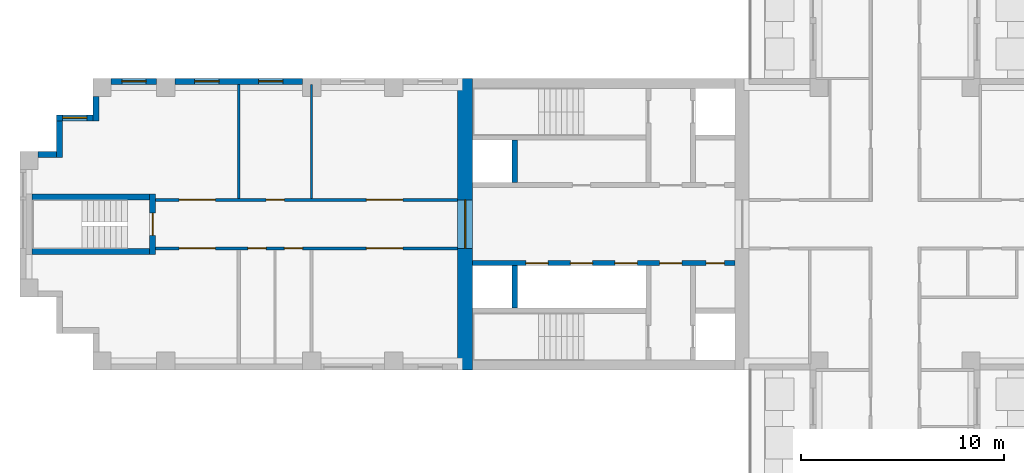
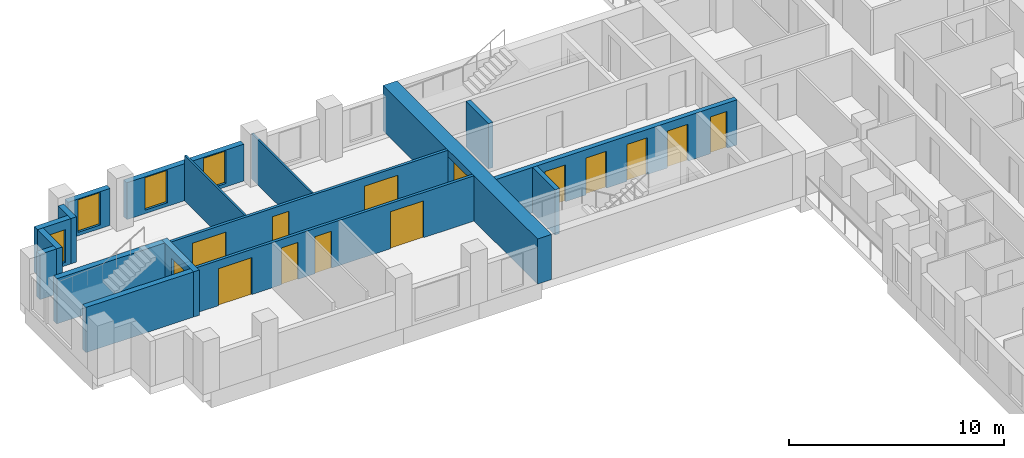
# One storey, part 5 of 15: 17 walls, 14 doors, 4 windows, 18 openings.
"""IFC4 building model written with IfcOpenShell, lengths in metres."""

import ifcopenshell
import ifcopenshell.guid

model = None  # the IFC model being written
_history = None  # IfcOwnerHistory: only IFC2X3 demands one
_inside = {}  # id of a spatial element -> (the spatial element, [elements in it])
_under = {}  # id of a project, library or spatial element -> (it, [spatial elements below it])
_declared = {}  # id of a project -> (the project, [libraries it declares])
_typed = {}  # id of a type object -> (the type object, [elements of that type])
_made_of = {}  # id of a material, layer set ... -> (it, [elements and type objects made of it])


def new_model(schema):
    """Start an empty IFC model of exactly this schema.

    Asked for "IFC4X3", IfcOpenShell would pick the latest addendum, in which some entities
    have other attributes; the version numbers below select the first issue.
    IFC2X3 requires an IfcOwnerHistory on every rooted entity: one is made here for all.
    """
    global model, _history
    if schema == "IFC4X3":
        model = ifcopenshell.file(schema_version=(4, 3, 0, 0))
    else:
        model = ifcopenshell.file(schema=schema)
    _inside.clear()
    _under.clear()
    _declared.clear()
    _typed.clear()
    _made_of.clear()
    _history = None
    if model.schema == "IFC2X3":
        org = make("IfcOrganization", Name="unknown")
        user = make(
            "IfcPersonAndOrganization",
            ThePerson=make("IfcPerson", FamilyName="unknown"),
            TheOrganization=org,
        )
        app = make(
            "IfcApplication",
            ApplicationDeveloper=org,
            Version="unknown",
            ApplicationFullName="unknown",
            ApplicationIdentifier="unknown",
        )
        _history = make(
            "IfcOwnerHistory",
            OwningUser=user,
            OwningApplication=app,
            ChangeAction="ADDED",
            CreationDate=0,
        )
    return model


def make(cls, **values):
    """One entity of the class cls with the attributes given. An attribute that is None is left unset."""
    return model.create_entity(
        cls, **{name: value for name, value in values.items() if value is not None}
    )


def rooted(cls, **values):
    """An entity with a GlobalId (a new one), such as an element, a storey or a relation."""
    return make(cls, GlobalId=ifcopenshell.guid.new(), OwnerHistory=_history, **values)


def si_unit(unit_type, name, prefix=None):
    """IfcSIUnit, for example si_unit("LENGTHUNIT", "METRE", prefix="MILLI")."""
    return make("IfcSIUnit", UnitType=unit_type, Prefix=prefix, Name=name)


def assignment(units):
    """IfcUnitAssignment: the units of a project."""
    return None if units is None else make("IfcUnitAssignment", Units=units)


def point(xyz):
    """IfcCartesianPoint."""
    return None if xyz is None else make("IfcCartesianPoint", Coordinates=xyz)


def direction(xyz):
    """IfcDirection."""
    return None if xyz is None else make("IfcDirection", DirectionRatios=xyz)


def frame(location, z_axis=None, x_axis=None):
    """IfcAxis2Placement3D, a coordinate frame: its origin and axes. An axis left out is left unset."""
    return make(
        "IfcAxis2Placement3D",
        Location=point(location),
        Axis=direction(z_axis),
        RefDirection=direction(x_axis),
    )


def frame_2d(location, x_axis=None):
    """IfcAxis2Placement2D, a coordinate frame in the plane: its origin and x axis."""
    return make(
        "IfcAxis2Placement2D", Location=point(location), RefDirection=direction(x_axis)
    )


def origin():
    """The frame at (0, 0, 0) with its axes left unset."""
    return frame((0.0, 0.0, 0.0))


def place(relative_to, where):
    """IfcLocalPlacement: puts the frame where relative to a parent placement (None: the world)."""
    return make(
        "IfcLocalPlacement", PlacementRelTo=relative_to, RelativePlacement=where
    )


def context(
    kind, dimensions, precision=None, world=None, true_north=None, identifier=None
):
    """IfcGeometricRepresentationContext, for example the 3D "Model" context."""
    return make(
        "IfcGeometricRepresentationContext",
        ContextIdentifier=identifier,
        ContextType=kind,
        CoordinateSpaceDimension=dimensions,
        Precision=precision,
        WorldCoordinateSystem=world,
        TrueNorth=true_north,
    )


def subcontext(parent, identifier, kind, view, scale=None):
    """IfcGeometricRepresentationSubContext, for example "Body" below "Model"."""
    return make(
        "IfcGeometricRepresentationSubContext",
        ContextIdentifier=identifier,
        ContextType=kind,
        ParentContext=parent,
        TargetScale=scale,
        TargetView=view,
    )


def project(units=None, contexts=None):
    """IfcProject with its units and contexts."""
    return rooted(
        "IfcProject",
        Name="project",
        RepresentationContexts=contexts,
        UnitsInContext=assignment(units),
    )


def spatial(cls, under=None, at=None, **own):
    """A site, building, storey or space (cls), placed at a placement, below another one or the project."""
    s = rooted(cls, ObjectPlacement=at, **own)
    if under is not None:
        _under.setdefault(under.id(), (under, []))[1].append(s)
    return s


def profile(cls, at=None, kind="AREA", **sizes):
    """A parametric profile (cls). Its sizes go by their IFC names, for example OverallWidth=200.0."""
    return make(cls, ProfileType=kind, Position=at, **sizes)


def rectangle(**sizes):
    """IfcRectangleProfileDef."""
    return profile("IfcRectangleProfileDef", **sizes)


def extrude(swept, where, along, depth):
    """IfcExtrudedAreaSolid: the profile swept, set in the frame where, extruded along a direction by depth."""
    return make(
        "IfcExtrudedAreaSolid",
        SweptArea=swept,
        Position=where,
        ExtrudedDirection=direction(along),
        Depth=depth,
    )


def shape(context_of_items, identifier, shape_type, items):
    """IfcShapeRepresentation: the items that make up one representation, for example the "Body"."""
    return make(
        "IfcShapeRepresentation",
        ContextOfItems=context_of_items,
        RepresentationIdentifier=identifier,
        RepresentationType=shape_type,
        Items=items,
    )


def material(Name=None, Category=None):
    """IfcMaterial."""
    return make("IfcMaterial", Name=Name, Category=Category)


def layer(
    of_material, thickness, ventilated=None, Name=None, Category=None, Priority=None
):
    """IfcMaterialLayer: one layer of a wall or slab, of a material (None: an air gap)."""
    return make(
        "IfcMaterialLayer",
        Material=of_material,
        LayerThickness=thickness,
        IsVentilated=ventilated,
        Name=Name,
        Category=Category,
        Priority=Priority,
    )


def layer_set(layers, Name=None):
    """IfcMaterialLayerSet."""
    return make("IfcMaterialLayerSet", MaterialLayers=layers, LayerSetName=Name)


def made_of(thing, what):
    """Note that an element or type object is made of a material, layer set ...; save() writes the relation."""
    if what is not None:
        _made_of.setdefault(what.id(), (what, []))[1].append(thing)
    return thing


def type_object(cls, material=None, **own):
    """A type object (cls), such as IfcWallType, which elements share."""
    return made_of(rooted(cls, **own), material)


def element(
    cls,
    number,
    at=None,
    inside=None,
    cuts=None,
    type_object=None,
    material=None,
    context=None,
    identifier="Body",
    shape_type=None,
    held_by="IfcProductDefinitionShape",
    body=None,
    shapes=None,
    **own,
):
    """One element of the class cls, such as IfcWall. Its Tag is "e" and its number.

    at: its placement. inside: the storey or other place that contains it. cuts: it is an
    opening in that element (IfcRelVoidsElement). A single representation is given by context,
    identifier, shape_type and body (its items); several are given by shapes. held_by: the class
    of the entity that holds the representations. save() writes the other relations.
    """
    e = rooted(cls, Tag="e%d" % number, ObjectPlacement=at, **own)
    if body is not None:
        shapes = [shape(context, identifier, shape_type, body)]
    if shapes is not None:
        e.Representation = make(held_by, Representations=shapes)
    if inside is not None:
        _inside.setdefault(inside.id(), (inside, []))[1].append(e)
    if cuts is not None:
        rooted(
            "IfcRelVoidsElement", RelatingBuildingElement=cuts, RelatedOpeningElement=e
        )
    if type_object is not None:
        _typed.setdefault(type_object.id(), (type_object, []))[1].append(e)
    return made_of(e, material)


def fill(opening, filler):
    """IfcRelFillsElement: the door or window that sits in an opening."""
    return rooted(
        "IfcRelFillsElement",
        RelatingOpeningElement=opening,
        RelatedBuildingElement=filler,
    )


def aggregate(whole, parts):
    """IfcRelAggregates: a whole, such as a stair, and the parts it consists of."""
    return rooted("IfcRelAggregates", RelatingObject=whole, RelatedObjects=parts)


def save(model, path):
    """Write the relations noted so far, then the file.

    IfcRelAggregates (storeys below a building ...), IfcRelContainedInSpatialStructure (elements
    in a storey), IfcRelDefinesByType, IfcRelAssociatesMaterial and IfcRelDeclares: one each for
    every whole, place, type object, material and project.
    """
    for whole, parts in _under.values():
        aggregate(whole, parts)
    for where, things in _inside.values():
        rooted(
            "IfcRelContainedInSpatialStructure",
            RelatedElements=things,
            RelatingStructure=where,
        )
    for kind, things in _typed.values():
        rooted("IfcRelDefinesByType", RelatedObjects=things, RelatingType=kind)
    for what, things in _made_of.values():
        rooted("IfcRelAssociatesMaterial", RelatedObjects=things, RelatingMaterial=what)
    for by, libraries in _declared.values():
        rooted("IfcRelDeclares", RelatingContext=by, RelatedDefinitions=libraries)
    model.write(path)


model = new_model("IFC4")

# Units and contexts
model_context = context("Model", 3, precision=1e-05, world=origin(), true_north=direction((0.0, 1.0)))
body_context = subcontext(model_context, "Body", "Model", "MODEL_VIEW")
ifc_project = project(units=[si_unit("LENGTHUNIT", "METRE"), si_unit("AREAUNIT", "SQUARE_METRE"), si_unit("VOLUMEUNIT", "CUBIC_METRE"), si_unit("PLANEANGLEUNIT", "RADIAN"), si_unit("MASSUNIT", "GRAM", prefix="KILO")], contexts=[model_context])

# Site, building, storey
site_placement = place(None, origin())
site = spatial("IfcSite", under=ifc_project, at=site_placement, CompositionType="ELEMENT")
building_placement = place(site_placement, origin())
building = spatial("IfcBuilding", under=site, at=building_placement, Name="Fustian Cross Tower", CompositionType="ELEMENT")
storey_placement = place(building_placement, frame((0.0, 0.0, 11.699951171875)))
storey = spatial("IfcBuildingStorey", under=building, at=storey_placement, Name="L02", CompositionType="ELEMENT", Elevation=11.699951171875)

# Wall, openings, doors
ifc_material_1 = material(Name="Plasterboard on steel stud", Category="steel")
ifc_layer_1 = layer(ifc_material_1, 0.14990234375)
ifc_layer_set_1 = layer_set([ifc_layer_1], Name="Plasterboard on steel stud")
wall_type_1 = type_object("IfcWallType", Name="COMPARTMENT WALL 150 EI 60", PredefinedType="PARTITIONING", material=ifc_layer_set_1)
wall_1_placement = place(storey_placement, frame((-36.5, -1.199951171875, 0.0), z_axis=(0.0, 0.0, 1.0), x_axis=(1.0, 0.0, 0.0)))
wall_1 = element("IfcWall", 1, at=wall_1_placement, inside=storey, type_object=wall_type_1, Name="Partition 1", PredefinedType="PARTITIONING", context=body_context, shape_type="SweptSolid", body=[
    extrude(rectangle(XDim=14.89990234375, YDim=0.14990234375, at=frame_2d((7.449951171875, 0.0))), origin(), (0.0, 0.0, 1.0), 2.574951171875),
])
opening_1_placement = place(wall_1_placement, frame((10.39990234375, 0.0, 0.0)))
opening_1 = element("IfcOpeningElement", 2, at=opening_1_placement, cuts=wall_1, Name="Opening D04048", PredefinedType="OPENING", context=body_context, shape_type="SweptSolid", body=[
    extrude(rectangle(XDim=1.800048828125, YDim=2.10009765625, at=frame_2d((0.89990234375, 1.050048828125))), frame((0.0, 0.0849609375, 0.0), z_axis=(0.0, -1.0, 0.0), x_axis=(1.0, 0.0, 0.0)), (0.0, 0.0, 1.0), 0.169921875),
])
opening_2_placement = place(wall_1_placement, frame((6.35009765625, 0.0, 0.0)))
opening_2 = element("IfcOpeningElement", 3, at=opening_2_placement, cuts=wall_1, Name="Opening D04049", PredefinedType="OPENING", context=body_context, shape_type="SweptSolid", body=[
    extrude(rectangle(XDim=0.89990234375, YDim=2.10009765625, at=frame_2d((0.449951171875, 1.050048828125))), frame((0.0, 0.0849609375, 0.0), z_axis=(0.0, -1.0, 0.0), x_axis=(1.0, 0.0, 0.0)), (0.0, 0.0, 1.0), 0.169921875),
])
opening_3_placement = place(wall_1_placement, frame((4.550048828125, 0.0, 0.0)))
opening_3 = element("IfcOpeningElement", 4, at=opening_3_placement, cuts=wall_1, Name="Opening D04050", PredefinedType="OPENING", context=body_context, shape_type="SweptSolid", body=[
    extrude(rectangle(XDim=0.89990234375, YDim=2.10009765625, at=frame_2d((0.449951171875, 1.050048828125))), frame((0.0, 0.0849609375, 0.0), z_axis=(0.0, -1.0, 0.0), x_axis=(1.0, 0.0, 0.0)), (0.0, 0.0, 1.0), 0.169921875),
])
opening_4_placement = place(wall_1_placement, frame((1.14990234375, 0.0, 0.0)))
opening_4 = element("IfcOpeningElement", 5, at=opening_4_placement, cuts=wall_1, Name="Opening D04051", PredefinedType="OPENING", context=body_context, shape_type="SweptSolid", body=[
    extrude(rectangle(XDim=1.800048828125, YDim=2.10009765625, at=frame_2d((0.89990234375, 1.050048828125))), frame((0.0, 0.0849609375, 0.0), z_axis=(0.0, -1.0, 0.0), x_axis=(1.0, 0.0, 0.0)), (0.0, 0.0, 1.0), 0.169921875),
])
ifc_material_2 = material(Name="Timber fire door set", Category="wood")
door_type_1 = type_object("IfcDoorType", Name="FIRE DOUBLE DOOR 1800 FD30S", OperationType="DOUBLE_DOOR_DOUBLE_SWING", PredefinedType="DOOR", material=ifc_material_2)
door_1_placement = place(opening_1_placement, origin())
door_1 = element("IfcDoor", 6, at=door_1_placement, inside=storey, type_object=door_type_1, Name="Door D04048", OperationType="DOUBLE_DOOR_DOUBLE_SWING", OverallHeight=2.10009765625, OverallWidth=1.800048828125, PredefinedType="DOOR", context=body_context, shape_type="SweptSolid", body=[
    extrude(rectangle(XDim=1.800048828125, YDim=2.10009765625, at=frame_2d((0.89990234375, 1.050048828125))), frame((0.0, 0.02490234375, 0.0), z_axis=(0.0, -1.0, 0.0), x_axis=(1.0, 0.0, 0.0)), (0.0, 0.0, 1.0), 0.050048828125),
])
fill(opening_1, door_1)
door_2_placement = place(opening_4_placement, origin())
door_2 = element("IfcDoor", 7, at=door_2_placement, inside=storey, type_object=door_type_1, Name="Door D04051", OperationType="DOUBLE_DOOR_DOUBLE_SWING", OverallHeight=2.10009765625, OverallWidth=1.800048828125, PredefinedType="DOOR", context=body_context, shape_type="SweptSolid", body=[
    extrude(rectangle(XDim=1.800048828125, YDim=2.10009765625, at=frame_2d((0.89990234375, 1.050048828125))), frame((0.0, 0.02490234375, 0.0), z_axis=(0.0, -1.0, 0.0), x_axis=(1.0, 0.0, 0.0)), (0.0, 0.0, 1.0), 0.050048828125),
])
fill(opening_4, door_2)
ifc_material_3 = material(Name="Timber fire door set", Category="wood")
door_type_2 = type_object("IfcDoorType", Name="FIRE SWING DOOR 900 FD30S", OperationType="SINGLE_SWING_LEFT", PredefinedType="DOOR", material=ifc_material_3)
door_3_placement = place(opening_2_placement, frame((0.89990234375, 0.0, 0.0), z_axis=(0.0, 0.0, 1.0), x_axis=(-1.0, 0.0, 0.0)))
door_3 = element("IfcDoor", 8, at=door_3_placement, inside=storey, type_object=door_type_2, Name="Door D04049", OperationType="SINGLE_SWING_LEFT", OverallHeight=2.10009765625, OverallWidth=0.89990234375, PredefinedType="DOOR", context=body_context, shape_type="SweptSolid", body=[
    extrude(rectangle(XDim=0.89990234375, YDim=2.10009765625, at=frame_2d((0.449951171875, 1.050048828125))), frame((0.0, 0.02490234375, 0.0), z_axis=(0.0, -1.0, 0.0), x_axis=(1.0, 0.0, 0.0)), (0.0, 0.0, 1.0), 0.050048828125),
])
fill(opening_2, door_3)
door_4_placement = place(opening_3_placement, frame((0.89990234375, 0.0, 0.0), z_axis=(0.0, 0.0, 1.0), x_axis=(-1.0, 0.0, 0.0)))
door_4 = element("IfcDoor", 9, at=door_4_placement, inside=storey, type_object=door_type_2, Name="Door D04050", OperationType="SINGLE_SWING_LEFT", OverallHeight=2.10009765625, OverallWidth=0.89990234375, PredefinedType="DOOR", context=body_context, shape_type="SweptSolid", body=[
    extrude(rectangle(XDim=0.89990234375, YDim=2.10009765625, at=frame_2d((0.449951171875, 1.050048828125))), frame((0.0, 0.02490234375, 0.0), z_axis=(0.0, -1.0, 0.0), x_axis=(1.0, 0.0, 0.0)), (0.0, 0.0, 1.0), 0.050048828125),
])
fill(opening_3, door_4)

wall_2_placement = place(storey_placement, frame((-36.5, 1.199951171875, 0.0), z_axis=(0.0, 0.0, 1.0), x_axis=(1.0, 0.0, 0.0)))
wall_2 = element("IfcWall", 10, at=wall_2_placement, inside=storey, type_object=wall_type_1, Name="Partition 2", PredefinedType="PARTITIONING", context=body_context, shape_type="SweptSolid", body=[
    extrude(rectangle(XDim=14.89990234375, YDim=0.14990234375, at=frame_2d((7.449951171875, 0.0))), origin(), (0.0, 0.0, 1.0), 2.574951171875),
])
opening_5_placement = place(wall_2_placement, frame((10.39990234375, 0.0, 0.0)))
opening_5 = element("IfcOpeningElement", 11, at=opening_5_placement, cuts=wall_2, Name="Opening D04052", PredefinedType="OPENING", context=body_context, shape_type="SweptSolid", body=[
    extrude(rectangle(XDim=1.800048828125, YDim=2.10009765625, at=frame_2d((0.89990234375, 1.050048828125))), frame((0.0, 0.0849609375, 0.0), z_axis=(0.0, -1.0, 0.0), x_axis=(1.0, 0.0, 0.0)), (0.0, 0.0, 1.0), 0.169921875),
])
opening_6_placement = place(wall_2_placement, frame((5.449951171875, 0.0, 0.0)))
opening_6 = element("IfcOpeningElement", 12, at=opening_6_placement, cuts=wall_2, Name="Opening D04053", PredefinedType="OPENING", context=body_context, shape_type="SweptSolid", body=[
    extrude(rectangle(XDim=0.89990234375, YDim=2.10009765625, at=frame_2d((0.449951171875, 1.050048828125))), frame((0.0, 0.0849609375, 0.0), z_axis=(0.0, -1.0, 0.0), x_axis=(1.0, 0.0, 0.0)), (0.0, 0.0, 1.0), 0.169921875),
])
opening_7_placement = place(wall_2_placement, frame((1.14990234375, 0.0, 0.0)))
opening_7 = element("IfcOpeningElement", 13, at=opening_7_placement, cuts=wall_2, Name="Opening D04054", PredefinedType="OPENING", context=body_context, shape_type="SweptSolid", body=[
    extrude(rectangle(XDim=1.800048828125, YDim=2.10009765625, at=frame_2d((0.89990234375, 1.050048828125))), frame((0.0, 0.0849609375, 0.0), z_axis=(0.0, -1.0, 0.0), x_axis=(1.0, 0.0, 0.0)), (0.0, 0.0, 1.0), 0.169921875),
])
door_5_placement = place(opening_5_placement, frame((1.800048828125, 0.0, 0.0), z_axis=(0.0, 0.0, 1.0), x_axis=(-1.0, 0.0, 0.0)))
door_5 = element("IfcDoor", 14, at=door_5_placement, inside=storey, type_object=door_type_1, Name="Door D04052", OperationType="DOUBLE_DOOR_DOUBLE_SWING", OverallHeight=2.10009765625, OverallWidth=1.800048828125, PredefinedType="DOOR", context=body_context, shape_type="SweptSolid", body=[
    extrude(rectangle(XDim=1.800048828125, YDim=2.10009765625, at=frame_2d((0.89990234375, 1.050048828125))), frame((0.0, 0.02490234375, 0.0), z_axis=(0.0, -1.0, 0.0), x_axis=(1.0, 0.0, 0.0)), (0.0, 0.0, 1.0), 0.050048828125),
])
fill(opening_5, door_5)
door_6_placement = place(opening_7_placement, frame((1.800048828125, 0.0, 0.0), z_axis=(0.0, 0.0, 1.0), x_axis=(-1.0, 0.0, 0.0)))
door_6 = element("IfcDoor", 15, at=door_6_placement, inside=storey, type_object=door_type_1, Name="Door D04054", OperationType="DOUBLE_DOOR_DOUBLE_SWING", OverallHeight=2.10009765625, OverallWidth=1.800048828125, PredefinedType="DOOR", context=body_context, shape_type="SweptSolid", body=[
    extrude(rectangle(XDim=1.800048828125, YDim=2.10009765625, at=frame_2d((0.89990234375, 1.050048828125))), frame((0.0, 0.02490234375, 0.0), z_axis=(0.0, -1.0, 0.0), x_axis=(1.0, 0.0, 0.0)), (0.0, 0.0, 1.0), 0.050048828125),
])
fill(opening_7, door_6)
door_7_placement = place(opening_6_placement, origin())
door_7 = element("IfcDoor", 16, at=door_7_placement, inside=storey, type_object=door_type_2, Name="Door D04053", OperationType="SINGLE_SWING_LEFT", OverallHeight=2.10009765625, OverallWidth=0.89990234375, PredefinedType="DOOR", context=body_context, shape_type="SweptSolid", body=[
    extrude(rectangle(XDim=0.89990234375, YDim=2.10009765625, at=frame_2d((0.449951171875, 1.050048828125))), frame((0.0, 0.02490234375, 0.0), z_axis=(0.0, -1.0, 0.0), x_axis=(1.0, 0.0, 0.0)), (0.0, 0.0, 1.0), 0.050048828125),
])
fill(opening_6, door_7)

# Wall, opening, door
ifc_material_4 = material(Name="Concrete C80/95", Category="concrete")
ifc_layer_2 = layer(ifc_material_4, 0.75)
ifc_layer_set_2 = layer_set([ifc_layer_2], Name="Concrete C80/95")
wall_type_2 = type_object("IfcWallType", Name="CORE END WALL 750 C80/95", PredefinedType="SHEAR", material=ifc_layer_set_2)
wall_3_placement = place(storey_placement, frame((-21.22509765625, -7.199951171875, 0.0), z_axis=(0.0, 0.0, 1.0), x_axis=(0.0, 1.0, 0.0)))
wall_3 = element("IfcWall", 17, at=wall_3_placement, inside=storey, type_object=wall_type_2, Name="Core end wall", PredefinedType="SHEAR", context=body_context, shape_type="SweptSolid", body=[
    extrude(rectangle(XDim=14.39990234375, YDim=0.75, at=frame_2d((7.199951171875, 0.0))), origin(), (0.0, 0.0, 1.0), 2.574951171875),
])
opening_8_placement = place(wall_3_placement, frame((6.0, 0.0, 0.0)))
opening_8 = element("IfcOpeningElement", 18, at=opening_8_placement, cuts=wall_3, Name="Opening CD-04-27", PredefinedType="OPENING", context=body_context, shape_type="SweptSolid", body=[
    extrude(rectangle(XDim=2.39990234375, YDim=2.199951171875, at=frame_2d((1.199951171875, 1.10009765625))), frame((0.0, 0.385009765625, 0.0), z_axis=(0.0, -1.0, 0.0), x_axis=(1.0, 0.0, 0.0)), (0.0, 0.0, 1.0), 0.77001953125),
])
ifc_material_5 = material(Name="Steel", Category="steel")
door_type_3 = type_object("IfcDoorType", Name="FIRE DOOR FD30S DOUBLE 2400X2200", OperationType="DOUBLE_DOOR_DOUBLE_SWING", PredefinedType="DOOR", material=ifc_material_5)
door_8_placement = place(opening_8_placement, frame((2.39990234375, 0.0, 0.0), z_axis=(0.0, 0.0, 1.0), x_axis=(-1.0, 0.0, 0.0)))
door_8 = element("IfcDoor", 19, at=door_8_placement, inside=storey, type_object=door_type_3, Name="Core door CD-04-27", OperationType="DOUBLE_DOOR_DOUBLE_SWING", OverallHeight=2.199951171875, OverallWidth=2.39990234375, PredefinedType="DOOR", context=body_context, shape_type="SweptSolid", body=[
    extrude(rectangle(XDim=2.39990234375, YDim=2.199951171875, at=frame_2d((1.199951171875, 1.10009765625))), frame((0.0, 0.02490234375, 0.0), z_axis=(0.0, -1.0, 0.0), x_axis=(1.0, 0.0, 0.0)), (0.0, 0.0, 1.0), 0.050048828125),
])
fill(opening_8, door_8)

# Wall, openings, doors
ifc_material_6 = material(Name="Concrete C50/60", Category="concrete")
ifc_layer_3 = layer(ifc_material_6, 0.25)
ifc_layer_set_3 = layer_set([ifc_layer_3], Name="Concrete C50/60")
wall_type_3 = type_object("IfcWallType", Name="CORE LOBBY WALL 250 C50/60", PredefinedType="SHEAR", material=ifc_layer_set_3)
wall_4_placement = place(storey_placement, frame((-7.89990234375, -1.925048828125, 0.0), z_axis=(0.0, 0.0, 1.0), x_axis=(-1.0, 0.0, 0.0)))
wall_4 = element("IfcWall", 20, at=wall_4_placement, inside=storey, type_object=wall_type_3, Name="Core lobby wall", PredefinedType="SHEAR", context=body_context, shape_type="SweptSolid", body=[
    extrude(rectangle(XDim=12.9501953125, YDim=0.25, at=frame_2d((6.47509765625, 0.0))), origin(), (0.0, 0.0, 1.0), 2.574951171875),
])
opening_9_placement = place(wall_4_placement, frame((4.824951171875, 0.0, 0.0)))
opening_9 = element("IfcOpeningElement", 21, at=opening_9_placement, cuts=wall_4, Name="Opening LD", PredefinedType="OPENING", context=body_context, shape_type="SweptSolid", body=[
    extrude(rectangle(XDim=1.10009765625, YDim=2.10009765625, at=frame_2d((0.550048828125, 1.050048828125))), frame((0.0, 0.135009765625, 0.0), z_axis=(0.0, -1.0, 0.0), x_axis=(1.0, 0.0, 0.0)), (0.0, 0.0, 1.0), 0.27001953125),
])
opening_10_placement = place(wall_4_placement, frame((7.02490234375, 0.0, 0.0)))
opening_10 = element("IfcOpeningElement", 22, at=opening_10_placement, cuts=wall_4, Name="Opening LD", PredefinedType="OPENING", context=body_context, shape_type="SweptSolid", body=[
    extrude(rectangle(XDim=1.10009765625, YDim=2.10009765625, at=frame_2d((0.550048828125, 1.050048828125))), frame((0.0, 0.135009765625, 0.0), z_axis=(0.0, -1.0, 0.0), x_axis=(1.0, 0.0, 0.0)), (0.0, 0.0, 1.0), 0.27001953125),
])
opening_11_placement = place(wall_4_placement, frame((9.22509765625, 0.0, 0.0)))
opening_11 = element("IfcOpeningElement", 23, at=opening_11_placement, cuts=wall_4, Name="Opening LD", PredefinedType="OPENING", context=body_context, shape_type="SweptSolid", body=[
    extrude(rectangle(XDim=1.10009765625, YDim=2.10009765625, at=frame_2d((0.550048828125, 1.050048828125))), frame((0.0, 0.135009765625, 0.0), z_axis=(0.0, -1.0, 0.0), x_axis=(1.0, 0.0, 0.0)), (0.0, 0.0, 1.0), 0.27001953125),
])
opening_12_placement = place(wall_4_placement, frame((0.52490234375, 0.0, 0.0)))
opening_12 = element("IfcOpeningElement", 24, at=opening_12_placement, cuts=wall_4, Name="Opening CD-04-23", PredefinedType="OPENING", context=body_context, shape_type="SweptSolid", body=[
    extrude(rectangle(XDim=0.89990234375, YDim=2.10009765625, at=frame_2d((0.449951171875, 1.050048828125))), frame((0.0, 0.135009765625, 0.0), z_axis=(0.0, -1.0, 0.0), x_axis=(1.0, 0.0, 0.0)), (0.0, 0.0, 1.0), 0.27001953125),
])
opening_13_placement = place(wall_4_placement, frame((2.625, 0.0, 0.0)))
opening_13 = element("IfcOpeningElement", 25, at=opening_13_placement, cuts=wall_4, Name="Opening CD-04-25", PredefinedType="OPENING", context=body_context, shape_type="SweptSolid", body=[
    extrude(rectangle(XDim=1.10009765625, YDim=2.10009765625, at=frame_2d((0.550048828125, 1.050048828125))), frame((0.0, 0.135009765625, 0.0), z_axis=(0.0, -1.0, 0.0), x_axis=(1.0, 0.0, 0.0)), (0.0, 0.0, 1.0), 0.27001953125),
])
ifc_material_7 = material(Name="Steel", Category="steel")
door_type_4 = type_object("IfcDoorType", Name="FIRE DOOR FD30S 1100X2100", OperationType="SINGLE_SWING_LEFT", PredefinedType="DOOR", material=ifc_material_7)
door_9_placement = place(opening_13_placement, frame((1.10009765625, 0.0, 0.0), z_axis=(0.0, 0.0, 1.0), x_axis=(-1.0, 0.0, 0.0)))
door_9 = element("IfcDoor", 26, at=door_9_placement, inside=storey, type_object=door_type_4, Name="Core door CD-04-25", OperationType="SINGLE_SWING_RIGHT", OverallHeight=2.10009765625, OverallWidth=1.10009765625, PredefinedType="DOOR", context=body_context, shape_type="SweptSolid", body=[
    extrude(rectangle(XDim=1.10009765625, YDim=2.10009765625, at=frame_2d((0.550048828125, 1.050048828125))), frame((0.0, 0.02490234375, 0.0), z_axis=(0.0, -1.0, 0.0), x_axis=(1.0, 0.0, 0.0)), (0.0, 0.0, 1.0), 0.050048828125),
])
fill(opening_13, door_9)
ifc_material_8 = material(Name="Steel", Category="steel")
door_type_5 = type_object("IfcDoorType", Name="FIRE DOOR FD30S 900X2100", OperationType="SINGLE_SWING_LEFT", PredefinedType="DOOR", material=ifc_material_8)
door_10_placement = place(opening_12_placement, origin())
door_10 = element("IfcDoor", 27, at=door_10_placement, inside=storey, type_object=door_type_5, Name="Core door CD-04-23", OperationType="SINGLE_SWING_LEFT", OverallHeight=2.10009765625, OverallWidth=0.89990234375, PredefinedType="DOOR", context=body_context, shape_type="SweptSolid", body=[
    extrude(rectangle(XDim=0.89990234375, YDim=2.10009765625, at=frame_2d((0.449951171875, 1.050048828125))), frame((0.0, 0.02490234375, 0.0), z_axis=(0.0, -1.0, 0.0), x_axis=(1.0, 0.0, 0.0)), (0.0, 0.0, 1.0), 0.050048828125),
])
fill(opening_12, door_10)
ifc_material_9 = material(Name="Stainless steel", Category="steel")
door_type_6 = type_object("IfcDoorType", Name="LIFT LANDING DOOR 1100X2100", OperationType="SLIDING_TO_LEFT", PredefinedType="DOOR", material=ifc_material_9)
door_11_placement = place(opening_9_placement, origin())
door_11 = element("IfcDoor", 28, at=door_11_placement, inside=storey, type_object=door_type_6, Name="Landing door LR1W", OperationType="SLIDING_TO_LEFT", OverallHeight=2.10009765625, OverallWidth=1.10009765625, PredefinedType="DOOR", context=body_context, shape_type="SweptSolid", body=[
    extrude(rectangle(XDim=1.10009765625, YDim=2.10009765625, at=frame_2d((0.550048828125, 1.050048828125))), frame((0.0, 0.02490234375, 0.0), z_axis=(0.0, -1.0, 0.0), x_axis=(1.0, 0.0, 0.0)), (0.0, 0.0, 1.0), 0.050048828125),
])
fill(opening_9, door_11)
door_12_placement = place(opening_10_placement, origin())
door_12 = element("IfcDoor", 29, at=door_12_placement, inside=storey, type_object=door_type_6, Name="Landing door LR2W", OperationType="SLIDING_TO_LEFT", OverallHeight=2.10009765625, OverallWidth=1.10009765625, PredefinedType="DOOR", context=body_context, shape_type="SweptSolid", body=[
    extrude(rectangle(XDim=1.10009765625, YDim=2.10009765625, at=frame_2d((0.550048828125, 1.050048828125))), frame((0.0, 0.02490234375, 0.0), z_axis=(0.0, -1.0, 0.0), x_axis=(1.0, 0.0, 0.0)), (0.0, 0.0, 1.0), 0.050048828125),
])
fill(opening_10, door_12)
door_13_placement = place(opening_11_placement, origin())
door_13 = element("IfcDoor", 30, at=door_13_placement, inside=storey, type_object=door_type_6, Name="Landing door LR3W", OperationType="SLIDING_TO_LEFT", OverallHeight=2.10009765625, OverallWidth=1.10009765625, PredefinedType="DOOR", context=body_context, shape_type="SweptSolid", body=[
    extrude(rectangle(XDim=1.10009765625, YDim=2.10009765625, at=frame_2d((0.550048828125, 1.050048828125))), frame((0.0, 0.02490234375, 0.0), z_axis=(0.0, -1.0, 0.0), x_axis=(1.0, 0.0, 0.0)), (0.0, 0.0, 1.0), 0.050048828125),
])
fill(opening_11, door_13)

# Walls
ifc_material_10 = material(Name="Plasterboard on steel stud", Category="steel")
ifc_layer_4 = layer(ifc_material_10, 0.10009765625)
ifc_layer_set_4 = layer_set([ifc_layer_4], Name="Plasterboard on steel stud")
wall_type_4 = type_object("IfcWallType", Name="PARTITION 100 STUD", PredefinedType="PARTITIONING", material=ifc_layer_set_4)
for number, where, z_axis, x_axis, name in (
    (31, (-32.39990234375, 1.27490234375, 0.0), (0.0, 0.0, 1.0), (0.0, 1.0, 0.0), "Partition 4"),
    (32, (-28.800048828125, 1.27490234375, 0.0), (0.0, 0.0, 1.0), (0.0, 1.0, 0.0), "Partition 7"),
):
    element("IfcWall", number, at=place(storey_placement, frame(where, z_axis=z_axis, x_axis=x_axis)), inside=storey, type_object=wall_type_4, Name=name, PredefinedType="PARTITIONING", context=body_context, shape_type="SweptSolid", body=[
        extrude(rectangle(XDim=5.625, YDim=0.10009765625, at=frame_2d((2.8125, 0.0))), origin(), (0.0, 0.0, 1.0), 2.574951171875),
    ])
ifc_material_11 = material(Name="Concrete C40/50", Category="concrete")
ifc_layer_5 = layer(ifc_material_11, 0.25)
ifc_layer_set_5 = layer_set([ifc_layer_5], Name="Concrete C40/50")
wall_type_5 = type_object("IfcWallType", Name="SHAFT PARTITION WALL 250 C40/50", PredefinedType="PARTITIONING", material=ifc_layer_set_5)
for number, where, z_axis, x_axis, name in (
    (33, (-18.77490234375, 2.050048828125, 0.0), (0.0, 0.0, 1.0), (0.0, 1.0, 0.0), "Core shaft wall"),
    (34, (-18.77490234375, -2.050048828125, 0.0), (0.0, 0.0, 1.0), (0.0, -1.0, 0.0), "Core shaft wall"),
):
    element("IfcWall", number, at=place(storey_placement, frame(where, z_axis=z_axis, x_axis=x_axis)), inside=storey, type_object=wall_type_5, Name=name, PredefinedType="PARTITIONING", context=body_context, shape_type="SweptSolid", body=[
        extrude(rectangle(XDim=2.099853515625, YDim=0.25, at=frame_2d((1.0498046875, 0.0))), origin(), (0.0, 0.0, 1.0), 2.574951171875),
    ])

# Wall, opening, door
ifc_material_12 = material(Name="Concrete C50/60", Category="concrete")
ifc_layer_6 = layer(ifc_material_12, 0.300048828125)
ifc_layer_set_6 = layer_set([ifc_layer_6], Name="Concrete C50/60")
wall_type_6 = type_object("IfcWallType", Name="STAIR ENCLOSURE WALL 300 C50/60", PredefinedType="SHEAR", material=ifc_layer_set_6)
wall_5_placement = place(storey_placement, frame((-36.64990234375, -1.5, 0.0), z_axis=(0.0, 0.0, 1.0), x_axis=(0.0, 1.0, 0.0)))
wall_5 = element("IfcWall", 35, at=wall_5_placement, inside=storey, type_object=wall_type_6, Name="Stair enclosure wall", PredefinedType="SHEAR", context=body_context, shape_type="SweptSolid", body=[
    extrude(rectangle(XDim=3.0, YDim=0.300048828125, at=frame_2d((1.5, 0.0))), origin(), (0.0, 0.0, 1.0), 2.574951171875),
])
opening_14_placement = place(wall_5_placement, frame((0.949951171875, 0.0, 0.0)))
opening_14 = element("IfcOpeningElement", 36, at=opening_14_placement, cuts=wall_5, Name="Opening CD-04-32", PredefinedType="OPENING", context=body_context, shape_type="SweptSolid", body=[
    extrude(rectangle(XDim=1.10009765625, YDim=2.10009765625, at=frame_2d((0.550048828125, 1.050048828125))), frame((0.0, 0.159912109375, 0.0), z_axis=(0.0, -1.0, 0.0), x_axis=(1.0, 0.0, 0.0)), (0.0, 0.0, 1.0), 0.320068359375),
])
ifc_material_13 = material(Name="Steel", Category="steel")
door_type_7 = type_object("IfcDoorType", Name="FIRE DOOR FD60S 1100X2100", OperationType="SINGLE_SWING_LEFT", PredefinedType="DOOR", material=ifc_material_13)
door_14_placement = place(opening_14_placement, origin())
door_14 = element("IfcDoor", 37, at=door_14_placement, inside=storey, type_object=door_type_7, Name="Core door CD-04-32", OperationType="SINGLE_SWING_LEFT", OverallHeight=2.10009765625, OverallWidth=1.10009765625, PredefinedType="DOOR", context=body_context, shape_type="SweptSolid", body=[
    extrude(rectangle(XDim=1.10009765625, YDim=2.10009765625, at=frame_2d((0.550048828125, 1.050048828125))), frame((0.0, 0.02490234375, 0.0), z_axis=(0.0, -1.0, 0.0), x_axis=(1.0, 0.0, 0.0)), (0.0, 0.0, 1.0), 0.050048828125),
])
fill(opening_14, door_14)

# Walls
for number, where, z_axis, x_axis, name in (
    (38, (-36.800048828125, -1.35009765625, 0.0), (0.0, 0.0, 1.0), (-1.0, 0.0, 0.0), "Stair enclosure wall"),
    (39, (-36.800048828125, 1.35009765625, 0.0), (0.0, 0.0, 1.0), (-1.0, 0.0, 0.0), "Stair enclosure wall"),
):
    element("IfcWall", number, at=place(storey_placement, frame(where, z_axis=z_axis, x_axis=x_axis)), inside=storey, type_object=wall_type_6, Name=name, PredefinedType="SHEAR", context=body_context, shape_type="SweptSolid", body=[
        extrude(rectangle(XDim=5.800048828125, YDim=0.300048828125, at=frame_2d((2.89990234375, 0.0))), origin(), (0.0, 0.0, 1.0), 2.574951171875),
    ])

# Wall, openings, windows
ifc_material_14 = material(Name="Dark aluminium cladding on insulated backing wall", Category="aluminium")
ifc_layer_7 = layer(ifc_material_14, 0.300048828125)
ifc_layer_set_7 = layer_set([ifc_layer_7], Name="Dark aluminium cladding on insulated backing wall")
wall_type_7 = type_object("IfcWallType", Name="XW1 EXTERNAL WALL 300", PredefinedType="SOLIDWALL", material=ifc_layer_set_7)
wall_6_placement = place(storey_placement, frame((-29.25, 7.050048828125, 0.0), z_axis=(0.0, 0.0, 1.0), x_axis=(-1.0, 0.0, 0.0)))
wall_6 = element("IfcWall", 40, at=wall_6_placement, inside=storey, type_object=wall_type_7, Name="External wall", PredefinedType="SOLIDWALL", context=body_context, shape_type="SweptSolid", body=[
    extrude(rectangle(XDim=6.300048828125, YDim=0.300048828125, at=frame_2d((3.14990234375, 0.0))), origin(), (0.0, 0.0, 1.0), 2.10009765625),
])
opening_15_placement = place(wall_6_placement, frame((0.97509765625, 0.0, 0.199951171875)))
opening_15 = element("IfcOpeningElement", 41, at=opening_15_placement, cuts=wall_6, Name="Opening WN3", PredefinedType="OPENING", context=body_context, shape_type="SweptSolid", body=[
    extrude(rectangle(XDim=1.199951171875, YDim=1.85009765625, at=frame_2d((0.60009765625, 0.925048828125))), frame((0.0, 0.159912109375, 0.0), z_axis=(0.0, -1.0, 0.0), x_axis=(1.0, 0.0, 0.0)), (0.0, 0.0, 1.0), 0.320068359375),
])
opening_16_placement = place(wall_6_placement, frame((4.125, 0.0, 0.199951171875)))
opening_16 = element("IfcOpeningElement", 42, at=opening_16_placement, cuts=wall_6, Name="Opening WN3", PredefinedType="OPENING", context=body_context, shape_type="SweptSolid", body=[
    extrude(rectangle(XDim=1.199951171875, YDim=1.85009765625, at=frame_2d((0.60009765625, 0.925048828125))), frame((0.0, 0.159912109375, 0.0), z_axis=(0.0, -1.0, 0.0), x_axis=(1.0, 0.0, 0.0)), (0.0, 0.0, 1.0), 0.320068359375),
])
ifc_material_15 = material(Name="Dark anodised aluminium and double glazing", Category="aluminium")
window_type = type_object("IfcWindowType", Name="WN3 WINDOW 1200X1850", PartitioningType="SINGLE_PANEL", PredefinedType="WINDOW", material=ifc_material_15)
window_1_placement = place(opening_15_placement, origin())
window_1 = element("IfcWindow", 43, at=window_1_placement, inside=storey, type_object=window_type, Name="Window", OverallHeight=1.85009765625, OverallWidth=1.199951171875, PartitioningType="SINGLE_PANEL", PredefinedType="WINDOW", context=body_context, shape_type="SweptSolid", body=[
    extrude(rectangle(XDim=1.199951171875, YDim=1.85009765625, at=frame_2d((0.60009765625, 0.925048828125))), frame((0.0, 0.030029296875, 0.0), z_axis=(0.0, -1.0, 0.0), x_axis=(1.0, 0.0, 0.0)), (0.0, 0.0, 1.0), 0.06005859375),
])
fill(opening_15, window_1)
window_2_placement = place(opening_16_placement, origin())
window_2 = element("IfcWindow", 44, at=window_2_placement, inside=storey, type_object=window_type, Name="Window", OverallHeight=1.85009765625, OverallWidth=1.199951171875, PartitioningType="SINGLE_PANEL", PredefinedType="WINDOW", context=body_context, shape_type="SweptSolid", body=[
    extrude(rectangle(XDim=1.199951171875, YDim=1.85009765625, at=frame_2d((0.60009765625, 0.925048828125))), frame((0.0, 0.030029296875, 0.0), z_axis=(0.0, -1.0, 0.0), x_axis=(1.0, 0.0, 0.0)), (0.0, 0.0, 1.0), 0.06005859375),
])
fill(opening_16, window_2)

# Wall, opening, window
wall_7_placement = place(storey_placement, frame((-36.449951171875, 7.050048828125, 0.0), z_axis=(0.0, 0.0, 1.0), x_axis=(-1.0, 0.0, 0.0)))
wall_7 = element("IfcWall", 45, at=wall_7_placement, inside=storey, type_object=wall_type_7, Name="External wall", PredefinedType="SOLIDWALL", context=body_context, shape_type="SweptSolid", body=[
    extrude(rectangle(XDim=2.25, YDim=0.300048828125, at=frame_2d((1.125, 0.0))), origin(), (0.0, 0.0, 1.0), 2.10009765625),
])
opening_17_placement = place(wall_7_placement, frame((0.52490234375, 0.0, 0.199951171875)))
opening_17 = element("IfcOpeningElement", 46, at=opening_17_placement, cuts=wall_7, Name="Opening WN3", PredefinedType="OPENING", context=body_context, shape_type="SweptSolid", body=[
    extrude(rectangle(XDim=1.199951171875, YDim=1.85009765625, at=frame_2d((0.60009765625, 0.925048828125))), frame((0.0, 0.159912109375, 0.0), z_axis=(0.0, -1.0, 0.0), x_axis=(1.0, 0.0, 0.0)), (0.0, 0.0, 1.0), 0.320068359375),
])
window_3_placement = place(opening_17_placement, origin())
window_3 = element("IfcWindow", 47, at=window_3_placement, inside=storey, type_object=window_type, Name="Window", OverallHeight=1.85009765625, OverallWidth=1.199951171875, PartitioningType="SINGLE_PANEL", PredefinedType="WINDOW", context=body_context, shape_type="SweptSolid", body=[
    extrude(rectangle(XDim=1.199951171875, YDim=1.85009765625, at=frame_2d((0.60009765625, 0.925048828125))), frame((0.0, 0.030029296875, 0.0), z_axis=(0.0, -1.0, 0.0), x_axis=(1.0, 0.0, 0.0)), (0.0, 0.0, 1.0), 0.06005859375),
])
fill(opening_17, window_3)

# Wall
wall_8_placement = place(storey_placement, frame((-39.449951171875, 6.300048828125, 0.0), z_axis=(0.0, 0.0, 1.0), x_axis=(0.0, -1.0, 0.0)))
element("IfcWall", 48, at=wall_8_placement, inside=storey, type_object=wall_type_7, Name="External wall", PredefinedType="SOLIDWALL", context=body_context, shape_type="SweptSolid", body=[
    extrude(rectangle(XDim=1.199951171875, YDim=0.300048828125, at=frame_2d((0.60009765625, 0.0))), origin(), (0.0, 0.0, 1.0), 2.574951171875),
])

# Wall, opening, window
wall_9_placement = place(storey_placement, frame((-39.60009765625, 5.25, 0.0), z_axis=(0.0, 0.0, 1.0), x_axis=(-1.0, 0.0, 0.0)))
wall_9 = element("IfcWall", 49, at=wall_9_placement, inside=storey, type_object=wall_type_7, Name="External wall", PredefinedType="SOLIDWALL", context=body_context, shape_type="SweptSolid", body=[
    extrude(rectangle(XDim=1.7998046875, YDim=0.300048828125, at=frame_2d((0.89990234375, 0.0))), origin(), (0.0, 0.0, 1.0), 2.574951171875),
])
opening_18_placement = place(wall_9_placement, frame((0.300048828125, 0.0, 0.199951171875)))
opening_18 = element("IfcOpeningElement", 50, at=opening_18_placement, cuts=wall_9, Name="Opening WN3", PredefinedType="OPENING", context=body_context, shape_type="SweptSolid", body=[
    extrude(rectangle(XDim=1.199951171875, YDim=1.85009765625, at=frame_2d((0.60009765625, 0.925048828125))), frame((0.0, 0.159912109375, 0.0), z_axis=(0.0, -1.0, 0.0), x_axis=(1.0, 0.0, 0.0)), (0.0, 0.0, 1.0), 0.320068359375),
])
window_4_placement = place(opening_18_placement, origin())
window_4 = element("IfcWindow", 51, at=window_4_placement, inside=storey, type_object=window_type, Name="Window", OverallHeight=1.85009765625, OverallWidth=1.199951171875, PartitioningType="SINGLE_PANEL", PredefinedType="WINDOW", context=body_context, shape_type="SweptSolid", body=[
    extrude(rectangle(XDim=1.199951171875, YDim=1.85009765625, at=frame_2d((0.60009765625, 0.925048828125))), frame((0.0, 0.030029296875, 0.0), z_axis=(0.0, -1.0, 0.0), x_axis=(1.0, 0.0, 0.0)), (0.0, 0.0, 1.0), 0.06005859375),
])
fill(opening_18, window_4)

# Walls
wall_10_placement = place(storey_placement, frame((-41.25, 5.10009765625, 0.0), z_axis=(0.0, 0.0, 1.0), x_axis=(0.0, -1.0, 0.0)))
element("IfcWall", 52, at=wall_10_placement, inside=storey, type_object=wall_type_7, Name="External wall", PredefinedType="SOLIDWALL", context=body_context, shape_type="SweptSolid", body=[
    extrude(rectangle(XDim=1.800048828125, YDim=0.300048828125, at=frame_2d((0.89990234375, 0.0))), origin(), (0.0, 0.0, 1.0), 2.574951171875),
])
wall_11_placement = place(storey_placement, frame((-41.39990234375, 3.449951171875, 0.0), z_axis=(0.0, 0.0, 1.0), x_axis=(-1.0, 0.0, 0.0)))
element("IfcWall", 53, at=wall_11_placement, inside=storey, type_object=wall_type_7, Name="External wall", PredefinedType="SOLIDWALL", context=body_context, shape_type="SweptSolid", body=[
    extrude(rectangle(XDim=0.900146484375, YDim=0.300048828125, at=frame_2d((0.4501953125, 0.0))), origin(), (0.0, 0.0, 1.0), 2.574951171875),
])

save(model, "model.ifc")
